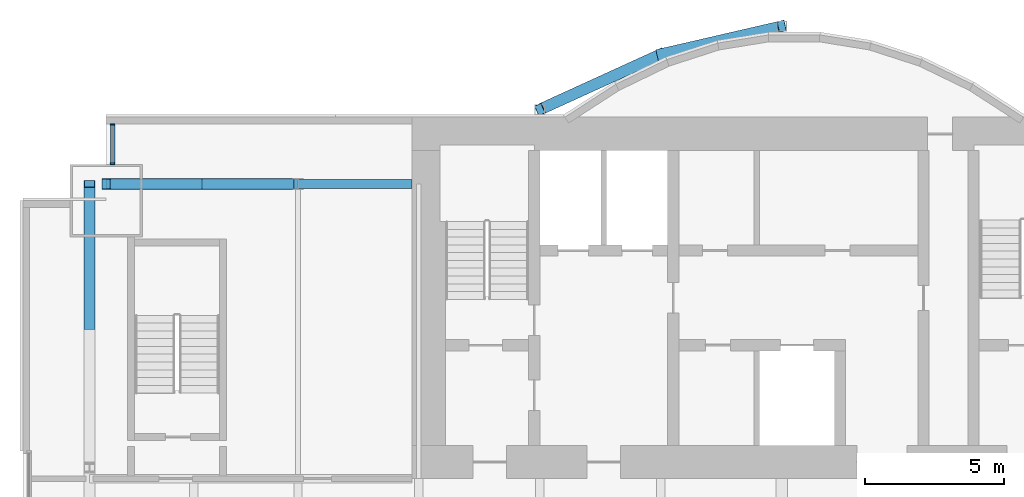
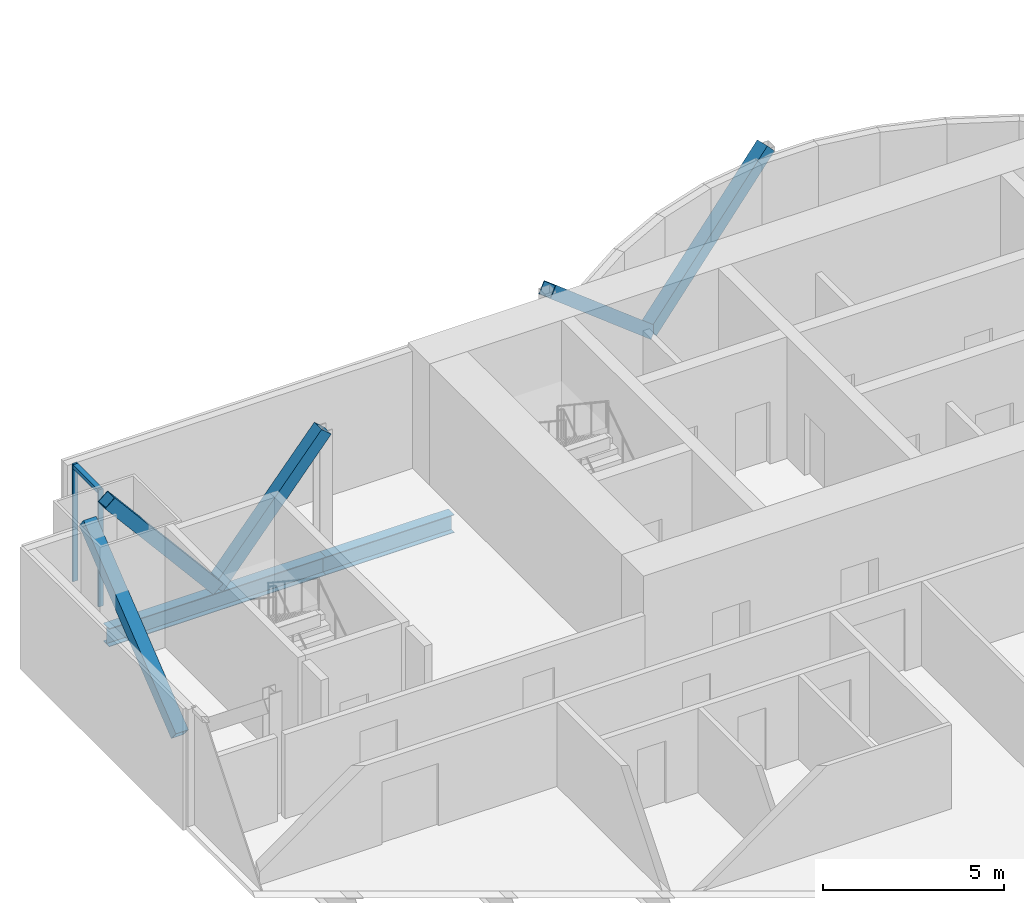
# One storey, part 10 of 21: 8 members, 2 beams, 1 element without a shape of its own.
"""IFC4 building model written with IfcOpenShell, lengths in metres."""

import ifcopenshell
import ifcopenshell.guid

model = None  # the IFC model being written
_history = None  # IfcOwnerHistory: only IFC2X3 demands one
_inside = {}  # id of a spatial element -> (the spatial element, [elements in it])
_under = {}  # id of a project, library or spatial element -> (it, [spatial elements below it])
_declared = {}  # id of a project -> (the project, [libraries it declares])
_typed = {}  # id of a type object -> (the type object, [elements of that type])
_made_of = {}  # id of a material, layer set ... -> (it, [elements and type objects made of it])


def new_model(schema):
    """Start an empty IFC model of exactly this schema.

    Asked for "IFC4X3", IfcOpenShell would pick the latest addendum, in which some entities
    have other attributes; the version numbers below select the first issue.
    IFC2X3 requires an IfcOwnerHistory on every rooted entity: one is made here for all.
    """
    global model, _history
    if schema == "IFC4X3":
        model = ifcopenshell.file(schema_version=(4, 3, 0, 0))
    else:
        model = ifcopenshell.file(schema=schema)
    _inside.clear()
    _under.clear()
    _declared.clear()
    _typed.clear()
    _made_of.clear()
    _history = None
    if model.schema == "IFC2X3":
        org = make("IfcOrganization", Name="unknown")
        user = make(
            "IfcPersonAndOrganization",
            ThePerson=make("IfcPerson", FamilyName="unknown"),
            TheOrganization=org,
        )
        app = make(
            "IfcApplication",
            ApplicationDeveloper=org,
            Version="unknown",
            ApplicationFullName="unknown",
            ApplicationIdentifier="unknown",
        )
        _history = make(
            "IfcOwnerHistory",
            OwningUser=user,
            OwningApplication=app,
            ChangeAction="ADDED",
            CreationDate=0,
        )
    return model


def make(cls, **values):
    """One entity of the class cls with the attributes given. An attribute that is None is left unset."""
    return model.create_entity(
        cls, **{name: value for name, value in values.items() if value is not None}
    )


def rooted(cls, **values):
    """An entity with a GlobalId (a new one), such as an element, a storey or a relation."""
    return make(cls, GlobalId=ifcopenshell.guid.new(), OwnerHistory=_history, **values)


def si_unit(unit_type, name, prefix=None):
    """IfcSIUnit, for example si_unit("LENGTHUNIT", "METRE", prefix="MILLI")."""
    return make("IfcSIUnit", UnitType=unit_type, Prefix=prefix, Name=name)


def assignment(units):
    """IfcUnitAssignment: the units of a project."""
    return None if units is None else make("IfcUnitAssignment", Units=units)


def point(xyz):
    """IfcCartesianPoint."""
    return None if xyz is None else make("IfcCartesianPoint", Coordinates=xyz)


def direction(xyz):
    """IfcDirection."""
    return None if xyz is None else make("IfcDirection", DirectionRatios=xyz)


def frame(location, z_axis=None, x_axis=None):
    """IfcAxis2Placement3D, a coordinate frame: its origin and axes. An axis left out is left unset."""
    return make(
        "IfcAxis2Placement3D",
        Location=point(location),
        Axis=direction(z_axis),
        RefDirection=direction(x_axis),
    )


def frame_2d(location, x_axis=None):
    """IfcAxis2Placement2D, a coordinate frame in the plane: its origin and x axis."""
    return make(
        "IfcAxis2Placement2D", Location=point(location), RefDirection=direction(x_axis)
    )


def origin():
    """The frame at (0, 0, 0) with its axes left unset."""
    return frame((0.0, 0.0, 0.0))


def origin_2d():
    """The frame at (0, 0) in the plane with its x axis left unset."""
    return frame_2d((0.0, 0.0))


def place(relative_to, where):
    """IfcLocalPlacement: puts the frame where relative to a parent placement (None: the world)."""
    return make(
        "IfcLocalPlacement", PlacementRelTo=relative_to, RelativePlacement=where
    )


def context(
    kind, dimensions, precision=None, world=None, true_north=None, identifier=None
):
    """IfcGeometricRepresentationContext, for example the 3D "Model" context."""
    return make(
        "IfcGeometricRepresentationContext",
        ContextIdentifier=identifier,
        ContextType=kind,
        CoordinateSpaceDimension=dimensions,
        Precision=precision,
        WorldCoordinateSystem=world,
        TrueNorth=true_north,
    )


def subcontext(parent, identifier, kind, view, scale=None):
    """IfcGeometricRepresentationSubContext, for example "Body" below "Model"."""
    return make(
        "IfcGeometricRepresentationSubContext",
        ContextIdentifier=identifier,
        ContextType=kind,
        ParentContext=parent,
        TargetScale=scale,
        TargetView=view,
    )


def project(units=None, contexts=None):
    """IfcProject with its units and contexts."""
    return rooted(
        "IfcProject",
        Name="project",
        RepresentationContexts=contexts,
        UnitsInContext=assignment(units),
    )


def spatial(cls, under=None, at=None, **own):
    """A site, building, storey or space (cls), placed at a placement, below another one or the project."""
    s = rooted(cls, ObjectPlacement=at, **own)
    if under is not None:
        _under.setdefault(under.id(), (under, []))[1].append(s)
    return s


def profile(cls, at=None, kind="AREA", **sizes):
    """A parametric profile (cls). Its sizes go by their IFC names, for example OverallWidth=200.0."""
    return make(cls, ProfileType=kind, Position=at, **sizes)


def rectangle(**sizes):
    """IfcRectangleProfileDef."""
    return profile("IfcRectangleProfileDef", **sizes)


def hollow_rectangle(**sizes):
    """IfcRectangleHollowProfileDef."""
    return profile("IfcRectangleHollowProfileDef", **sizes)


def i_section(**sizes):
    """IfcIShapeProfileDef."""
    return profile("IfcIShapeProfileDef", **sizes)


def extrude(swept, where, along, depth):
    """IfcExtrudedAreaSolid: the profile swept, set in the frame where, extruded along a direction by depth."""
    return make(
        "IfcExtrudedAreaSolid",
        SweptArea=swept,
        Position=where,
        ExtrudedDirection=direction(along),
        Depth=depth,
    )


def shape(context_of_items, identifier, shape_type, items):
    """IfcShapeRepresentation: the items that make up one representation, for example the "Body"."""
    return make(
        "IfcShapeRepresentation",
        ContextOfItems=context_of_items,
        RepresentationIdentifier=identifier,
        RepresentationType=shape_type,
        Items=items,
    )


def material(Name=None, Category=None):
    """IfcMaterial."""
    return make("IfcMaterial", Name=Name, Category=Category)


def material_profile(
    of_material, cross_section, Name=None, Category=None, Priority=None
):
    """IfcMaterialProfile: a cross section and its material."""
    return make(
        "IfcMaterialProfile",
        Name=Name,
        Material=of_material,
        Profile=cross_section,
        Priority=Priority,
        Category=Category,
    )


def profile_set(profiles, Name=None, composite=None):
    """IfcMaterialProfileSet."""
    return make(
        "IfcMaterialProfileSet",
        Name=Name,
        MaterialProfiles=profiles,
        CompositeProfile=composite,
    )


def made_of(thing, what):
    """Note that an element or type object is made of a material, layer set ...; save() writes the relation."""
    if what is not None:
        _made_of.setdefault(what.id(), (what, []))[1].append(thing)
    return thing


def type_object(cls, material=None, **own):
    """A type object (cls), such as IfcWallType, which elements share."""
    return made_of(rooted(cls, **own), material)


def element(
    cls,
    number,
    at=None,
    inside=None,
    cuts=None,
    type_object=None,
    material=None,
    context=None,
    identifier="Body",
    shape_type=None,
    held_by="IfcProductDefinitionShape",
    body=None,
    shapes=None,
    **own,
):
    """One element of the class cls, such as IfcWall. Its Tag is "e" and its number.

    at: its placement. inside: the storey or other place that contains it. cuts: it is an
    opening in that element (IfcRelVoidsElement). A single representation is given by context,
    identifier, shape_type and body (its items); several are given by shapes. held_by: the class
    of the entity that holds the representations. save() writes the other relations.
    """
    e = rooted(cls, Tag="e%d" % number, ObjectPlacement=at, **own)
    if body is not None:
        shapes = [shape(context, identifier, shape_type, body)]
    if shapes is not None:
        e.Representation = make(held_by, Representations=shapes)
    if inside is not None:
        _inside.setdefault(inside.id(), (inside, []))[1].append(e)
    if cuts is not None:
        rooted(
            "IfcRelVoidsElement", RelatingBuildingElement=cuts, RelatedOpeningElement=e
        )
    if type_object is not None:
        _typed.setdefault(type_object.id(), (type_object, []))[1].append(e)
    return made_of(e, material)


def aggregate(whole, parts):
    """IfcRelAggregates: a whole, such as a stair, and the parts it consists of."""
    return rooted("IfcRelAggregates", RelatingObject=whole, RelatedObjects=parts)


def save(model, path):
    """Write the relations noted so far, then the file.

    IfcRelAggregates (storeys below a building ...), IfcRelContainedInSpatialStructure (elements
    in a storey), IfcRelDefinesByType, IfcRelAssociatesMaterial and IfcRelDeclares: one each for
    every whole, place, type object, material and project.
    """
    for whole, parts in _under.values():
        aggregate(whole, parts)
    for where, things in _inside.values():
        rooted(
            "IfcRelContainedInSpatialStructure",
            RelatedElements=things,
            RelatingStructure=where,
        )
    for kind, things in _typed.values():
        rooted("IfcRelDefinesByType", RelatedObjects=things, RelatingType=kind)
    for what, things in _made_of.values():
        rooted("IfcRelAssociatesMaterial", RelatedObjects=things, RelatingMaterial=what)
    for by, libraries in _declared.values():
        rooted("IfcRelDeclares", RelatingContext=by, RelatedDefinitions=libraries)
    model.write(path)


model = new_model("IFC4")

# Units and contexts
model_context = context("Model", 3, precision=1e-05, world=origin(), true_north=direction((0.0, 1.0)))
body_context = subcontext(model_context, "Body", "Model", "MODEL_VIEW")
ifc_project = project(units=[si_unit("LENGTHUNIT", "METRE"), si_unit("AREAUNIT", "SQUARE_METRE"), si_unit("VOLUMEUNIT", "CUBIC_METRE"), si_unit("PLANEANGLEUNIT", "RADIAN"), si_unit("MASSUNIT", "GRAM", prefix="KILO")], contexts=[model_context])

# Site, building, storey
site_placement = place(None, origin())
site = spatial("IfcSite", under=ifc_project, at=site_placement, CompositionType="ELEMENT")
building_placement = place(site_placement, origin())
building = spatial("IfcBuilding", under=site, at=building_placement, Name="Bicima Exchange Tower", CompositionType="ELEMENT")
storey_placement = place(building_placement, frame((0.0, 0.0, 156.800048828125)))
storey = spatial("IfcBuildingStorey", under=building, at=storey_placement, Name="L34", CompositionType="ELEMENT", Elevation=156.800048828125)

# Curtain wall, members
ifc_material_1 = material(Name="Anodised bronze aluminium", Category="aluminium")
curtain_wall_type = type_object("IfcCurtainWallType", Name="Front glass wall", PredefinedType="NOTDEFINED", material=ifc_material_1)
curtain_wall_placement = place(storey_placement, origin())
curtain_wall = element("IfcCurtainWall", 1, at=curtain_wall_placement, inside=storey, type_object=curtain_wall_type, Name="Front glass wall L34 run 1", PredefinedType="NOTDEFINED")
ifc_material_profile_1 = material_profile(ifc_material_1, rectangle(XDim=0.159912109375, YDim=0.06005859375, at=origin_2d()))
ifc_profile_set_1 = profile_set([ifc_material_profile_1], Name="Anodised bronze aluminium")
member_type_1 = type_object("IfcMemberType", Name="Front glass wall mullion 60 x 160", PredefinedType="MULLION", material=ifc_profile_set_1)
member_1_placement = place(storey_placement, frame((-32.77001953125, -0.260009765625, 0.0), z_axis=(0.0, 0.0, 1.0), x_axis=(1.0, 0.0, 0.0)))
member_1 = element("IfcMember", 2, at=member_1_placement, type_object=member_type_1, Name="Front glass wall mullion 1", PredefinedType="MULLION", context=body_context, shape_type="SweptSolid", body=[
    extrude(rectangle(XDim=0.159912109375, YDim=0.06005859375, at=origin_2d()), origin(), (0.0, 0.0, 1.0), 3.949951171875),
])
member_2_placement = place(storey_placement, frame((-32.77001953125, -1.669921875, 0.0), z_axis=(0.0, 0.0, 1.0), x_axis=(1.0, 0.0, 0.0)))
member_2 = element("IfcMember", 3, at=member_2_placement, type_object=member_type_1, Name="Front glass wall mullion 2", PredefinedType="MULLION", context=body_context, shape_type="SweptSolid", body=[
    extrude(rectangle(XDim=0.159912109375, YDim=0.06005859375, at=origin_2d()), origin(), (0.0, 0.0, 1.0), 3.949951171875),
])
ifc_material_profile_2 = material_profile(ifc_material_1, rectangle(XDim=0.159912109375, YDim=0.139892578125, at=origin_2d()))
ifc_profile_set_2 = profile_set([ifc_material_profile_2], Name="Anodised bronze aluminium")
member_type_2 = type_object("IfcMemberType", Name="Front glass wall transom 140 x 160", PredefinedType="USERDEFINED", material=ifc_profile_set_2)
member_3_placement = place(storey_placement, frame((-32.77001953125, -0.2900390625, 3.8798828125), z_axis=(0.0, -1.0, 0.0), x_axis=(1.0, 0.0, 0.0)))
member_3 = element("IfcMember", 4, at=member_3_placement, type_object=member_type_2, Name="Front glass wall transom 1.1", ObjectType="TRANSOM", PredefinedType="USERDEFINED", context=body_context, shape_type="SweptSolid", body=[
    extrude(rectangle(XDim=0.159912109375, YDim=0.139892578125, at=origin_2d()), origin(), (0.0, 0.0, 1.0), 1.349853515625),
])
aggregate(curtain_wall, [member_1, member_2, member_3])

# Members
ifc_material_2 = material(Name="Steel ASTM A572 Gr 50", Category="steel")
ifc_material_profile_3 = material_profile(ifc_material_2, hollow_rectangle(XDim=0.406494140625, YDim=0.406494140625, WallThickness=0.017822265625, at=origin_2d()))
ifc_profile_set_3 = profile_set([ifc_material_profile_3], Name="Steel ASTM A572 Gr 50")
member_type_3 = type_object("IfcMemberType", Name="Mega brace HSS16x16x3/4", PredefinedType="BRACE", material=ifc_profile_set_3)
member_4_placement = place(storey_placement, frame((-13.050048828125, 2.262451171875, 0.0), z_axis=(0.717625168184, 0.166055032463, 0.676342993002), x_axis=(-0.225438503722, 0.974257399787, 0.0)))
element("IfcMember", 5, at=member_4_placement, inside=storey, type_object=member_type_3, Name="Mega brace rexo", PredefinedType="BRACE", context=body_context, shape_type="SweptSolid", body=[
    extrude(hollow_rectangle(XDim=0.406494140625, YDim=0.406494140625, WallThickness=0.017822265625, at=origin_2d()), origin(), (0.0, 0.0, 1.0), 6.061767578125),
])
member_5_placement = place(storey_placement, frame((-13.050048828125, 2.262451171875, 0.0), z_axis=(-0.690646390594, -0.3150684101, 0.650952732629), x_axis=(0.415045223819, -0.909800781592, 0.0)))
element("IfcMember", 6, at=member_5_placement, inside=storey, type_object=member_type_3, Name="Mega brace rexo", PredefinedType="BRACE", context=body_context, shape_type="SweptSolid", body=[
    extrude(hollow_rectangle(XDim=0.406494140625, YDim=0.406494140625, WallThickness=0.017822265625, at=origin_2d()), origin(), (0.0, 0.0, 1.0), 6.29833984375),
])
for number, where, z_axis, x_axis, name in (
    (7, (-29.550048828125, -2.39990234375, 0.0), (0.643856488545, 0.0, 0.765146275008), (0.0, 1.0, 0.0), "Mega brace rear"),
    (8, (-29.550048828125, -2.39990234375, 0.0), (-0.643856488545, 0.0, 0.765146275008), (0.0, -1.0, 0.0), "Mega brace rear"),
):
    element("IfcMember", number, at=place(storey_placement, frame(where, z_axis=z_axis, x_axis=x_axis)), inside=storey, type_object=member_type_3, Name=name, PredefinedType="BRACE", context=body_context, shape_type="SweptSolid", body=[
        extrude(hollow_rectangle(XDim=0.406494140625, YDim=0.406494140625, WallThickness=0.017822265625, at=origin_2d()), origin(), (0.0, 0.0, 1.0), 5.358154296875),
    ])
member_6_placement = place(storey_placement, frame((-33.60009765625, -7.5, -0.496826171875), z_axis=(0.0, 0.779374241895, 0.626558689247), x_axis=(-1.0, 0.0, 0.0)))
element("IfcMember", 9, at=member_6_placement, inside=storey, type_object=member_type_3, Name="Mega brace west end", PredefinedType="BRACE", context=body_context, shape_type="SweptSolid", body=[
    extrude(hollow_rectangle(XDim=0.406494140625, YDim=0.406494140625, WallThickness=0.017822265625, at=origin_2d()), origin(), (0.0, 0.0, 1.0), 6.5439453125),
])

# Beams
ifc_material_3 = material(Name="Steel ASTM A992 Gr 50", Category="steel")
ifc_material_profile_4 = material_profile(ifc_material_3, i_section(OverallWidth=0.3251953125, OverallDepth=0.612060546875, WebThickness=0.0126953125, FlangeThickness=0.01904296875, at=origin_2d()))
ifc_profile_set_4 = profile_set([ifc_material_profile_4], Name="Steel ASTM A992 Gr 50")
beam_type = type_object("IfcBeamType", Name="Rear girder W24x104", PredefinedType="BEAM", material=ifc_profile_set_4)
beam_1_placement = place(storey_placement, frame((-22.0, -2.39990234375, -0.4560546875), z_axis=(-1.0, 0.0, 0.0), x_axis=(0.0, -1.0, 0.0)))
element("IfcBeam", 10, at=beam_1_placement, inside=storey, type_object=beam_type, Name="Rear girder", PredefinedType="BEAM", context=body_context, shape_type="SweptSolid", body=[
    extrude(i_section(OverallWidth=0.3251953125, OverallDepth=0.612060546875, WebThickness=0.0126953125, FlangeThickness=0.01904296875, at=origin_2d()), origin(), (0.0, 0.0, 1.0), 4.10009765625),
])
beam_2_placement = place(storey_placement, frame((-26.10009765625, -2.39990234375, -0.4560546875), z_axis=(-1.0, 0.0, 0.0), x_axis=(0.0, -1.0, 0.0)))
element("IfcBeam", 11, at=beam_2_placement, inside=storey, type_object=beam_type, Name="Rear girder", PredefinedType="BEAM", context=body_context, shape_type="SweptSolid", body=[
    extrude(i_section(OverallWidth=0.3251953125, OverallDepth=0.612060546875, WebThickness=0.0126953125, FlangeThickness=0.01904296875, at=origin_2d()), origin(), (0.0, 0.0, 1.0), 6.89990234375),
])

save(model, "model.ifc")
